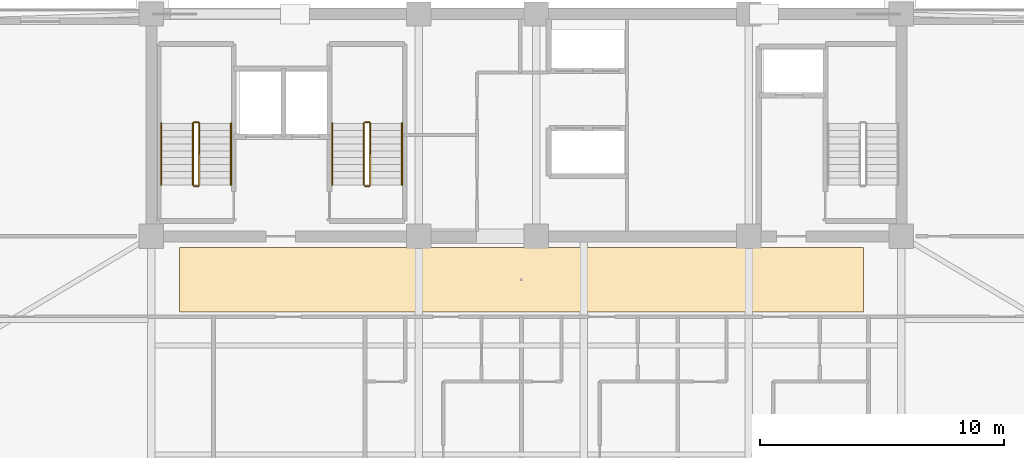
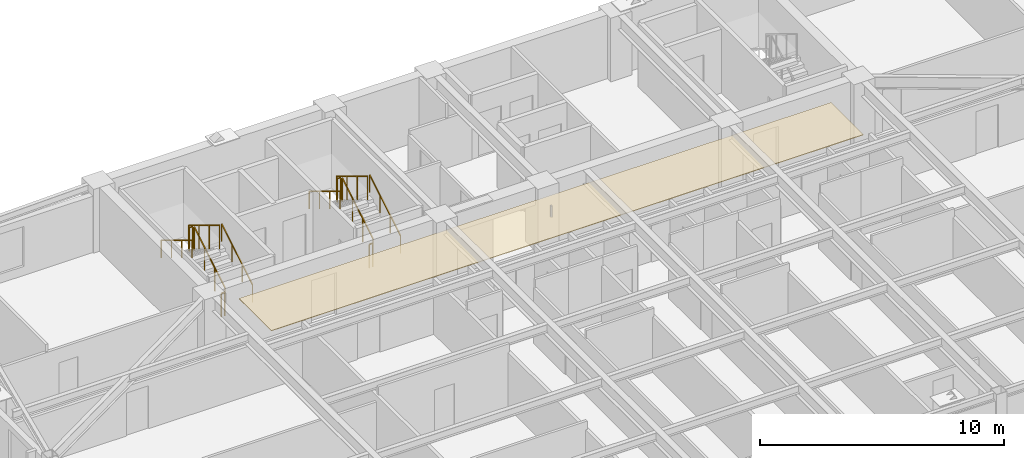
# One storey, part 14 of 17: 12 railings, 1 covering.
"""IFC4 building model written with IfcOpenShell, lengths in metres."""

import ifcopenshell
import ifcopenshell.guid

model = None  # the IFC model being written
_history = None  # IfcOwnerHistory: only IFC2X3 demands one
_inside = {}  # id of a spatial element -> (the spatial element, [elements in it])
_under = {}  # id of a project, library or spatial element -> (it, [spatial elements below it])
_declared = {}  # id of a project -> (the project, [libraries it declares])
_typed = {}  # id of a type object -> (the type object, [elements of that type])
_made_of = {}  # id of a material, layer set ... -> (it, [elements and type objects made of it])


def new_model(schema):
    """Start an empty IFC model of exactly this schema.

    Asked for "IFC4X3", IfcOpenShell would pick the latest addendum, in which some entities
    have other attributes; the version numbers below select the first issue.
    IFC2X3 requires an IfcOwnerHistory on every rooted entity: one is made here for all.
    """
    global model, _history
    if schema == "IFC4X3":
        model = ifcopenshell.file(schema_version=(4, 3, 0, 0))
    else:
        model = ifcopenshell.file(schema=schema)
    _inside.clear()
    _under.clear()
    _declared.clear()
    _typed.clear()
    _made_of.clear()
    _history = None
    if model.schema == "IFC2X3":
        org = make("IfcOrganization", Name="unknown")
        user = make(
            "IfcPersonAndOrganization",
            ThePerson=make("IfcPerson", FamilyName="unknown"),
            TheOrganization=org,
        )
        app = make(
            "IfcApplication",
            ApplicationDeveloper=org,
            Version="unknown",
            ApplicationFullName="unknown",
            ApplicationIdentifier="unknown",
        )
        _history = make(
            "IfcOwnerHistory",
            OwningUser=user,
            OwningApplication=app,
            ChangeAction="ADDED",
            CreationDate=0,
        )
    return model


def make(cls, **values):
    """One entity of the class cls with the attributes given. An attribute that is None is left unset."""
    return model.create_entity(
        cls, **{name: value for name, value in values.items() if value is not None}
    )


def rooted(cls, **values):
    """An entity with a GlobalId (a new one), such as an element, a storey or a relation."""
    return make(cls, GlobalId=ifcopenshell.guid.new(), OwnerHistory=_history, **values)


def si_unit(unit_type, name, prefix=None):
    """IfcSIUnit, for example si_unit("LENGTHUNIT", "METRE", prefix="MILLI")."""
    return make("IfcSIUnit", UnitType=unit_type, Prefix=prefix, Name=name)


def assignment(units):
    """IfcUnitAssignment: the units of a project."""
    return None if units is None else make("IfcUnitAssignment", Units=units)


def point(xyz):
    """IfcCartesianPoint."""
    return None if xyz is None else make("IfcCartesianPoint", Coordinates=xyz)


def direction(xyz):
    """IfcDirection."""
    return None if xyz is None else make("IfcDirection", DirectionRatios=xyz)


def frame(location, z_axis=None, x_axis=None):
    """IfcAxis2Placement3D, a coordinate frame: its origin and axes. An axis left out is left unset."""
    return make(
        "IfcAxis2Placement3D",
        Location=point(location),
        Axis=direction(z_axis),
        RefDirection=direction(x_axis),
    )


def frame_2d(location, x_axis=None):
    """IfcAxis2Placement2D, a coordinate frame in the plane: its origin and x axis."""
    return make(
        "IfcAxis2Placement2D", Location=point(location), RefDirection=direction(x_axis)
    )


def origin():
    """The frame at (0, 0, 0) with its axes left unset."""
    return frame((0.0, 0.0, 0.0))


def origin_2d():
    """The frame at (0, 0) in the plane with its x axis left unset."""
    return frame_2d((0.0, 0.0))


def place(relative_to, where):
    """IfcLocalPlacement: puts the frame where relative to a parent placement (None: the world)."""
    return make(
        "IfcLocalPlacement", PlacementRelTo=relative_to, RelativePlacement=where
    )


def context(
    kind, dimensions, precision=None, world=None, true_north=None, identifier=None
):
    """IfcGeometricRepresentationContext, for example the 3D "Model" context."""
    return make(
        "IfcGeometricRepresentationContext",
        ContextIdentifier=identifier,
        ContextType=kind,
        CoordinateSpaceDimension=dimensions,
        Precision=precision,
        WorldCoordinateSystem=world,
        TrueNorth=true_north,
    )


def subcontext(parent, identifier, kind, view, scale=None):
    """IfcGeometricRepresentationSubContext, for example "Body" below "Model"."""
    return make(
        "IfcGeometricRepresentationSubContext",
        ContextIdentifier=identifier,
        ContextType=kind,
        ParentContext=parent,
        TargetScale=scale,
        TargetView=view,
    )


def project(units=None, contexts=None):
    """IfcProject with its units and contexts."""
    return rooted(
        "IfcProject",
        Name="project",
        RepresentationContexts=contexts,
        UnitsInContext=assignment(units),
    )


def spatial(cls, under=None, at=None, **own):
    """A site, building, storey or space (cls), placed at a placement, below another one or the project."""
    s = rooted(cls, ObjectPlacement=at, **own)
    if under is not None:
        _under.setdefault(under.id(), (under, []))[1].append(s)
    return s


def polyline(points):
    """IfcPolyline through the points."""
    return make("IfcPolyline", Points=[point(p) for p in points])


def profile(cls, at=None, kind="AREA", **sizes):
    """A parametric profile (cls). Its sizes go by their IFC names, for example OverallWidth=200.0."""
    return make(cls, ProfileType=kind, Position=at, **sizes)


def rectangle(**sizes):
    """IfcRectangleProfileDef."""
    return profile("IfcRectangleProfileDef", **sizes)


def outline(outer, holes=None, kind="AREA"):
    """IfcArbitraryClosedProfileDef: a profile drawn as a closed curve; with holes, ...WithVoids."""
    if holes is None:
        return make("IfcArbitraryClosedProfileDef", ProfileType=kind, OuterCurve=outer)
    return make(
        "IfcArbitraryProfileDefWithVoids",
        ProfileType=kind,
        OuterCurve=outer,
        InnerCurves=holes,
    )


def extrude(swept, where, along, depth):
    """IfcExtrudedAreaSolid: the profile swept, set in the frame where, extruded along a direction by depth."""
    return make(
        "IfcExtrudedAreaSolid",
        SweptArea=swept,
        Position=where,
        ExtrudedDirection=direction(along),
        Depth=depth,
    )


def shape(context_of_items, identifier, shape_type, items):
    """IfcShapeRepresentation: the items that make up one representation, for example the "Body"."""
    return make(
        "IfcShapeRepresentation",
        ContextOfItems=context_of_items,
        RepresentationIdentifier=identifier,
        RepresentationType=shape_type,
        Items=items,
    )


def material(Name=None, Category=None):
    """IfcMaterial."""
    return make("IfcMaterial", Name=Name, Category=Category)


def layer(
    of_material, thickness, ventilated=None, Name=None, Category=None, Priority=None
):
    """IfcMaterialLayer: one layer of a wall or slab, of a material (None: an air gap)."""
    return make(
        "IfcMaterialLayer",
        Material=of_material,
        LayerThickness=thickness,
        IsVentilated=ventilated,
        Name=Name,
        Category=Category,
        Priority=Priority,
    )


def layer_set(layers, Name=None):
    """IfcMaterialLayerSet."""
    return make("IfcMaterialLayerSet", MaterialLayers=layers, LayerSetName=Name)


def made_of(thing, what):
    """Note that an element or type object is made of a material, layer set ...; save() writes the relation."""
    if what is not None:
        _made_of.setdefault(what.id(), (what, []))[1].append(thing)
    return thing


def type_object(cls, material=None, **own):
    """A type object (cls), such as IfcWallType, which elements share."""
    return made_of(rooted(cls, **own), material)


def element(
    cls,
    number,
    at=None,
    inside=None,
    cuts=None,
    type_object=None,
    material=None,
    context=None,
    identifier="Body",
    shape_type=None,
    held_by="IfcProductDefinitionShape",
    body=None,
    shapes=None,
    **own,
):
    """One element of the class cls, such as IfcWall. Its Tag is "e" and its number.

    at: its placement. inside: the storey or other place that contains it. cuts: it is an
    opening in that element (IfcRelVoidsElement). A single representation is given by context,
    identifier, shape_type and body (its items); several are given by shapes. held_by: the class
    of the entity that holds the representations. save() writes the other relations.
    """
    e = rooted(cls, Tag="e%d" % number, ObjectPlacement=at, **own)
    if body is not None:
        shapes = [shape(context, identifier, shape_type, body)]
    if shapes is not None:
        e.Representation = make(held_by, Representations=shapes)
    if inside is not None:
        _inside.setdefault(inside.id(), (inside, []))[1].append(e)
    if cuts is not None:
        rooted(
            "IfcRelVoidsElement", RelatingBuildingElement=cuts, RelatedOpeningElement=e
        )
    if type_object is not None:
        _typed.setdefault(type_object.id(), (type_object, []))[1].append(e)
    return made_of(e, material)


def aggregate(whole, parts):
    """IfcRelAggregates: a whole, such as a stair, and the parts it consists of."""
    return rooted("IfcRelAggregates", RelatingObject=whole, RelatedObjects=parts)


def save(model, path):
    """Write the relations noted so far, then the file.

    IfcRelAggregates (storeys below a building ...), IfcRelContainedInSpatialStructure (elements
    in a storey), IfcRelDefinesByType, IfcRelAssociatesMaterial and IfcRelDeclares: one each for
    every whole, place, type object, material and project.
    """
    for whole, parts in _under.values():
        aggregate(whole, parts)
    for where, things in _inside.values():
        rooted(
            "IfcRelContainedInSpatialStructure",
            RelatedElements=things,
            RelatingStructure=where,
        )
    for kind, things in _typed.values():
        rooted("IfcRelDefinesByType", RelatedObjects=things, RelatingType=kind)
    for what, things in _made_of.values():
        rooted("IfcRelAssociatesMaterial", RelatedObjects=things, RelatingMaterial=what)
    for by, libraries in _declared.values():
        rooted("IfcRelDeclares", RelatingContext=by, RelatedDefinitions=libraries)
    model.write(path)


model = new_model("IFC4")

# Units and contexts
model_context = context("Model", 3, precision=1e-05, world=origin(), true_north=direction((0.0, 1.0)))
body_context = subcontext(model_context, "Body", "Model", "MODEL_VIEW")
ifc_project = project(units=[si_unit("LENGTHUNIT", "METRE"), si_unit("AREAUNIT", "SQUARE_METRE"), si_unit("VOLUMEUNIT", "CUBIC_METRE"), si_unit("PLANEANGLEUNIT", "RADIAN"), si_unit("MASSUNIT", "GRAM", prefix="KILO")], contexts=[model_context])

# Site, building, storey
site_placement = place(None, origin())
site = spatial("IfcSite", under=ifc_project, at=site_placement, CompositionType="ELEMENT")
building_placement = place(site_placement, origin())
building = spatial("IfcBuilding", under=site, at=building_placement, Name="Giltprow Tower", CompositionType="ELEMENT")
storey_placement = place(building_placement, frame((0.0, 0.0, 248.5)))
storey = spatial("IfcBuildingStorey", under=building, at=storey_placement, Name="L63", CompositionType="ELEMENT", Elevation=248.5)

# Covering
ifc_material_1 = material(Name="Painted gypsum board", Category="gypsum")
ifc_layer = layer(ifc_material_1, 0.030029296875, Name="Painted gypsum board")
ifc_layer_set = layer_set([ifc_layer], Name="Painted gypsum board")
covering_type = type_object("IfcCoveringType", Name="COV-CLG-GYPSUM", PredefinedType="CEILING", material=ifc_layer_set)
covering_placement = place(storey_placement, frame((0.0, 0.0, 2.6201171875)))
element("IfcCovering", 1, at=covering_placement, inside=storey, type_object=covering_type, Name="L63 Residence Gallery Ceiling", PredefinedType="CEILING", context=body_context, shape_type="SweptSolid", body=[
    extrude(outline(polyline([(21.0, 34.35009765625), (49.0, 34.35009765625), (49.0, 37.0), (21.0, 37.0), (21.0, 34.35009765625)])), origin(), (0.0, 0.0, 1.0), 0.02978515625),
])

# Railings
ifc_material_2 = material(Name="Anodized bronze", Category="metal")
railing_type_1 = type_object("IfcRailingType", Name="RAIL-STAIR-GUARD-1200", PredefinedType="GUARDRAIL", material=ifc_material_2)
railing_1_placement = place(storey_placement, frame((21.81005859375, 39.550048828125, 0.169921875)))
element("IfcRailing", 2, at=railing_1_placement, inside=storey, type_object=railing_type_1, Name="L63 ST-1 stair guard 1", PredefinedType="GUARDRAIL", context=body_context, shape_type="SweptSolid", body=[
    extrude(rectangle(XDim=0.048095703125, YDim=0.048095703125, at=origin_2d()), frame((0.0, 0.0, 1.17578125), z_axis=(0.0, 0.85478489116, 0.518982456201), x_axis=(-1.0, 0.0, 0.0)), (0.0, 0.0, 1.0), 2.9482421875),
    extrude(rectangle(XDim=0.0419921875, YDim=0.0419921875, at=origin_2d()), origin(), (0.0, 0.0, 1.0), 1.15185546875),
    extrude(rectangle(XDim=0.0419921875, YDim=0.0419921875, at=origin_2d()), frame((0.0, 0.840087890625, 0.510009765625)), (0.0, 0.0, 1.0), 1.15185546875),
    extrude(rectangle(XDim=0.0419921875, YDim=0.0419921875, at=origin_2d()), frame((0.0, 1.679931640625, 1.02001953125)), (0.0, 0.0, 1.0), 1.15185546875),
    extrude(rectangle(XDim=0.0419921875, YDim=0.0419921875, at=origin_2d()), frame((0.0, 2.52001953125, 1.530029296875)), (0.0, 0.0, 1.0), 1.15185546875),
])
railing_2_placement = place(storey_placement, frame((21.760009765625, 42.1201171875, 1.699951171875)))
element("IfcRailing", 3, at=railing_2_placement, inside=storey, type_object=railing_type_1, Name="L63 ST-1 stair guard 2", PredefinedType="GUARDRAIL", context=body_context, shape_type="SweptSolid", body=[
    extrude(rectangle(XDim=0.048095703125, YDim=0.048095703125, at=origin_2d()), frame((0.0, 0.0, 1.17578125), z_axis=(-1.0, 0.0, 0.0), x_axis=(0.0, -1.0, 0.0)), (0.0, 0.0, 1.0), 0.159912109375),
    extrude(rectangle(XDim=0.0419921875, YDim=0.0419921875, at=origin_2d()), origin(), (0.0, 0.0, 1.0), 1.15185546875),
    extrude(rectangle(XDim=0.0419921875, YDim=0.0419921875, at=origin_2d()), frame((-0.159912109375, 0.0, 0.0)), (0.0, 0.0, 1.0), 1.15185546875),
])
railing_3_placement = place(storey_placement, frame((21.550048828125, 42.070068359375, 1.8701171875)))
element("IfcRailing", 4, at=railing_3_placement, inside=storey, type_object=railing_type_1, Name="L63 ST-1 stair guard 3", PredefinedType="GUARDRAIL", context=body_context, shape_type="SweptSolid", body=[
    extrude(rectangle(XDim=0.048095703125, YDim=0.048095703125, at=origin_2d()), frame((0.0, 0.0, 1.17578125), z_axis=(0.0, -0.854821627497, 0.518921945155), x_axis=(1.0, 0.0, 0.0)), (0.0, 0.0, 1.0), 2.947998046875),
    extrude(rectangle(XDim=0.0419921875, YDim=0.0419921875, at=origin_2d()), origin(), (0.0, 0.0, 1.0), 1.15185546875),
    extrude(rectangle(XDim=0.0419921875, YDim=0.0419921875, at=origin_2d()), frame((0.0, -0.840087890625, 0.510009765625)), (0.0, 0.0, 1.0), 1.15185546875),
    extrude(rectangle(XDim=0.0419921875, YDim=0.0419921875, at=origin_2d()), frame((0.0, -1.679931640625, 1.019775390625)), (0.0, 0.0, 1.0), 1.15185546875),
    extrude(rectangle(XDim=0.0419921875, YDim=0.0419921875, at=origin_2d()), frame((0.0, -2.52001953125, 1.52978515625)), (0.0, 0.0, 1.0), 1.15185546875),
])
railing_4_placement = place(storey_placement, frame((21.760009765625, 39.5, 0.0)))
element("IfcRailing", 5, at=railing_4_placement, inside=storey, type_object=railing_type_1, Name="L63 ST-1 stair guard 4", PredefinedType="GUARDRAIL", context=body_context, shape_type="SweptSolid", body=[
    extrude(rectangle(XDim=0.048095703125, YDim=0.048095703125, at=origin_2d()), frame((0.0, 0.0, 1.17578125), z_axis=(-1.0, 0.0, 0.0), x_axis=(0.0, -1.0, 0.0)), (0.0, 0.0, 1.0), 0.159912109375),
    extrude(rectangle(XDim=0.0419921875, YDim=0.0419921875, at=origin_2d()), origin(), (0.0, 0.0, 1.0), 1.15185546875),
    extrude(rectangle(XDim=0.0419921875, YDim=0.0419921875, at=origin_2d()), frame((-0.159912109375, 0.0, 0.0)), (0.0, 0.0, 1.0), 1.15185546875),
])
railing_5_placement = place(storey_placement, frame((28.81005859375, 39.550048828125, 0.169921875)))
element("IfcRailing", 6, at=railing_5_placement, inside=storey, type_object=railing_type_1, Name="L63 ST-2 stair guard 1", PredefinedType="GUARDRAIL", context=body_context, shape_type="SweptSolid", body=[
    extrude(rectangle(XDim=0.048095703125, YDim=0.048095703125, at=origin_2d()), frame((0.0, 0.0, 1.17578125), z_axis=(0.0, 0.85478489116, 0.518982456201), x_axis=(-1.0, 0.0, 0.0)), (0.0, 0.0, 1.0), 2.9482421875),
    extrude(rectangle(XDim=0.0419921875, YDim=0.0419921875, at=origin_2d()), origin(), (0.0, 0.0, 1.0), 1.15185546875),
    extrude(rectangle(XDim=0.0419921875, YDim=0.0419921875, at=origin_2d()), frame((0.0, 0.840087890625, 0.510009765625)), (0.0, 0.0, 1.0), 1.15185546875),
    extrude(rectangle(XDim=0.0419921875, YDim=0.0419921875, at=origin_2d()), frame((0.0, 1.679931640625, 1.02001953125)), (0.0, 0.0, 1.0), 1.15185546875),
    extrude(rectangle(XDim=0.0419921875, YDim=0.0419921875, at=origin_2d()), frame((0.0, 2.52001953125, 1.530029296875)), (0.0, 0.0, 1.0), 1.15185546875),
])
railing_6_placement = place(storey_placement, frame((28.760009765625, 42.1201171875, 1.699951171875)))
element("IfcRailing", 7, at=railing_6_placement, inside=storey, type_object=railing_type_1, Name="L63 ST-2 stair guard 2", PredefinedType="GUARDRAIL", context=body_context, shape_type="SweptSolid", body=[
    extrude(rectangle(XDim=0.048095703125, YDim=0.048095703125, at=origin_2d()), frame((0.0, 0.0, 1.17578125), z_axis=(-1.0, 0.0, 0.0), x_axis=(0.0, -1.0, 0.0)), (0.0, 0.0, 1.0), 0.159912109375),
    extrude(rectangle(XDim=0.0419921875, YDim=0.0419921875, at=origin_2d()), origin(), (0.0, 0.0, 1.0), 1.15185546875),
    extrude(rectangle(XDim=0.0419921875, YDim=0.0419921875, at=origin_2d()), frame((-0.159912109375, 0.0, 0.0)), (0.0, 0.0, 1.0), 1.15185546875),
])
railing_7_placement = place(storey_placement, frame((28.550048828125, 42.070068359375, 1.8701171875)))
element("IfcRailing", 8, at=railing_7_placement, inside=storey, type_object=railing_type_1, Name="L63 ST-2 stair guard 3", PredefinedType="GUARDRAIL", context=body_context, shape_type="SweptSolid", body=[
    extrude(rectangle(XDim=0.048095703125, YDim=0.048095703125, at=origin_2d()), frame((0.0, 0.0, 1.17578125), z_axis=(0.0, -0.854821627497, 0.518921945155), x_axis=(1.0, 0.0, 0.0)), (0.0, 0.0, 1.0), 2.947998046875),
    extrude(rectangle(XDim=0.0419921875, YDim=0.0419921875, at=origin_2d()), origin(), (0.0, 0.0, 1.0), 1.15185546875),
    extrude(rectangle(XDim=0.0419921875, YDim=0.0419921875, at=origin_2d()), frame((0.0, -0.840087890625, 0.510009765625)), (0.0, 0.0, 1.0), 1.15185546875),
    extrude(rectangle(XDim=0.0419921875, YDim=0.0419921875, at=origin_2d()), frame((0.0, -1.679931640625, 1.019775390625)), (0.0, 0.0, 1.0), 1.15185546875),
    extrude(rectangle(XDim=0.0419921875, YDim=0.0419921875, at=origin_2d()), frame((0.0, -2.52001953125, 1.52978515625)), (0.0, 0.0, 1.0), 1.15185546875),
])
railing_8_placement = place(storey_placement, frame((28.760009765625, 39.5, 0.0)))
element("IfcRailing", 9, at=railing_8_placement, inside=storey, type_object=railing_type_1, Name="L63 ST-2 stair guard 4", PredefinedType="GUARDRAIL", context=body_context, shape_type="SweptSolid", body=[
    extrude(rectangle(XDim=0.048095703125, YDim=0.048095703125, at=origin_2d()), frame((0.0, 0.0, 1.17578125), z_axis=(-1.0, 0.0, 0.0), x_axis=(0.0, -1.0, 0.0)), (0.0, 0.0, 1.0), 0.159912109375),
    extrude(rectangle(XDim=0.0419921875, YDim=0.0419921875, at=origin_2d()), origin(), (0.0, 0.0, 1.0), 1.15185546875),
    extrude(rectangle(XDim=0.0419921875, YDim=0.0419921875, at=origin_2d()), frame((-0.159912109375, 0.0, 0.0)), (0.0, 0.0, 1.0), 1.15185546875),
])
railing_type_2 = type_object("IfcRailingType", Name="RAIL-STAIR-HAND-900", PredefinedType="HANDRAIL", material=ifc_material_2)
railing_9_placement = place(storey_placement, frame((23.110107421875, 39.550048828125, 0.169921875)))
element("IfcRailing", 10, at=railing_9_placement, inside=storey, type_object=railing_type_2, Name="L63 ST-1 stair handrail 1", PredefinedType="HANDRAIL", context=body_context, shape_type="SweptSolid", body=[
    extrude(rectangle(XDim=0.048095703125, YDim=0.048095703125, at=origin_2d()), frame((0.0, 0.0, 0.8759765625), z_axis=(0.0, 0.85478489116, 0.518982456201), x_axis=(-1.0, 0.0, 0.0)), (0.0, 0.0, 1.0), 2.9482421875),
    extrude(rectangle(XDim=0.0419921875, YDim=0.0419921875, at=origin_2d()), origin(), (0.0, 0.0, 1.0), 0.851806640625),
    extrude(rectangle(XDim=0.0419921875, YDim=0.0419921875, at=origin_2d()), frame((0.0, 0.840087890625, 0.510009765625)), (0.0, 0.0, 1.0), 0.851806640625),
    extrude(rectangle(XDim=0.0419921875, YDim=0.0419921875, at=origin_2d()), frame((0.0, 1.679931640625, 1.02001953125)), (0.0, 0.0, 1.0), 0.851806640625),
    extrude(rectangle(XDim=0.0419921875, YDim=0.0419921875, at=origin_2d()), frame((0.0, 2.52001953125, 1.530029296875)), (0.0, 0.0, 1.0), 0.851806640625),
])
railing_10_placement = place(storey_placement, frame((20.25, 42.070068359375, 1.8701171875)))
element("IfcRailing", 11, at=railing_10_placement, inside=storey, type_object=railing_type_2, Name="L63 ST-1 stair handrail 2", PredefinedType="HANDRAIL", context=body_context, shape_type="SweptSolid", body=[
    extrude(rectangle(XDim=0.048095703125, YDim=0.048095703125, at=origin_2d()), frame((0.0, 0.0, 0.8759765625), z_axis=(0.0, -0.854821627497, 0.518921945155), x_axis=(1.0, 0.0, 0.0)), (0.0, 0.0, 1.0), 2.947998046875),
    extrude(rectangle(XDim=0.0419921875, YDim=0.0419921875, at=origin_2d()), origin(), (0.0, 0.0, 1.0), 0.851806640625),
    extrude(rectangle(XDim=0.0419921875, YDim=0.0419921875, at=origin_2d()), frame((0.0, -0.840087890625, 0.510009765625)), (0.0, 0.0, 1.0), 0.851806640625),
    extrude(rectangle(XDim=0.0419921875, YDim=0.0419921875, at=origin_2d()), frame((0.0, -1.679931640625, 1.019775390625)), (0.0, 0.0, 1.0), 0.851806640625),
    extrude(rectangle(XDim=0.0419921875, YDim=0.0419921875, at=origin_2d()), frame((0.0, -2.52001953125, 1.52978515625)), (0.0, 0.0, 1.0), 0.851806640625),
])
railing_11_placement = place(storey_placement, frame((30.110107421875, 39.550048828125, 0.169921875)))
element("IfcRailing", 12, at=railing_11_placement, inside=storey, type_object=railing_type_2, Name="L63 ST-2 stair handrail 1", PredefinedType="HANDRAIL", context=body_context, shape_type="SweptSolid", body=[
    extrude(rectangle(XDim=0.048095703125, YDim=0.048095703125, at=origin_2d()), frame((0.0, 0.0, 0.8759765625), z_axis=(0.0, 0.85478489116, 0.518982456201), x_axis=(-1.0, 0.0, 0.0)), (0.0, 0.0, 1.0), 2.9482421875),
    extrude(rectangle(XDim=0.0419921875, YDim=0.0419921875, at=origin_2d()), origin(), (0.0, 0.0, 1.0), 0.851806640625),
    extrude(rectangle(XDim=0.0419921875, YDim=0.0419921875, at=origin_2d()), frame((0.0, 0.840087890625, 0.510009765625)), (0.0, 0.0, 1.0), 0.851806640625),
    extrude(rectangle(XDim=0.0419921875, YDim=0.0419921875, at=origin_2d()), frame((0.0, 1.679931640625, 1.02001953125)), (0.0, 0.0, 1.0), 0.851806640625),
    extrude(rectangle(XDim=0.0419921875, YDim=0.0419921875, at=origin_2d()), frame((0.0, 2.52001953125, 1.530029296875)), (0.0, 0.0, 1.0), 0.851806640625),
])
railing_12_placement = place(storey_placement, frame((27.25, 42.070068359375, 1.8701171875)))
element("IfcRailing", 13, at=railing_12_placement, inside=storey, type_object=railing_type_2, Name="L63 ST-2 stair handrail 2", PredefinedType="HANDRAIL", context=body_context, shape_type="SweptSolid", body=[
    extrude(rectangle(XDim=0.048095703125, YDim=0.048095703125, at=origin_2d()), frame((0.0, 0.0, 0.8759765625), z_axis=(0.0, -0.854821627497, 0.518921945155), x_axis=(1.0, 0.0, 0.0)), (0.0, 0.0, 1.0), 2.947998046875),
    extrude(rectangle(XDim=0.0419921875, YDim=0.0419921875, at=origin_2d()), origin(), (0.0, 0.0, 1.0), 0.851806640625),
    extrude(rectangle(XDim=0.0419921875, YDim=0.0419921875, at=origin_2d()), frame((0.0, -0.840087890625, 0.510009765625)), (0.0, 0.0, 1.0), 0.851806640625),
    extrude(rectangle(XDim=0.0419921875, YDim=0.0419921875, at=origin_2d()), frame((0.0, -1.679931640625, 1.019775390625)), (0.0, 0.0, 1.0), 0.851806640625),
    extrude(rectangle(XDim=0.0419921875, YDim=0.0419921875, at=origin_2d()), frame((0.0, -2.52001953125, 1.52978515625)), (0.0, 0.0, 1.0), 0.851806640625),
])

save(model, "model.ifc")
